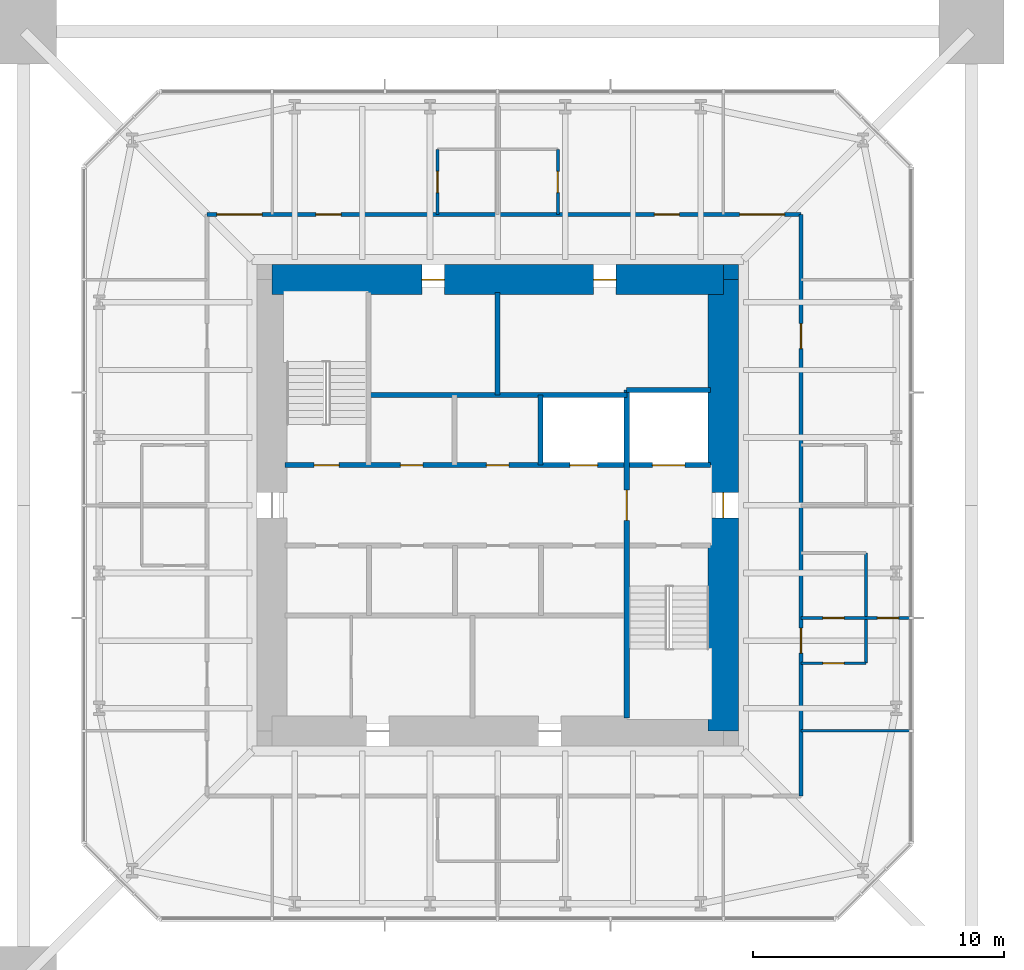
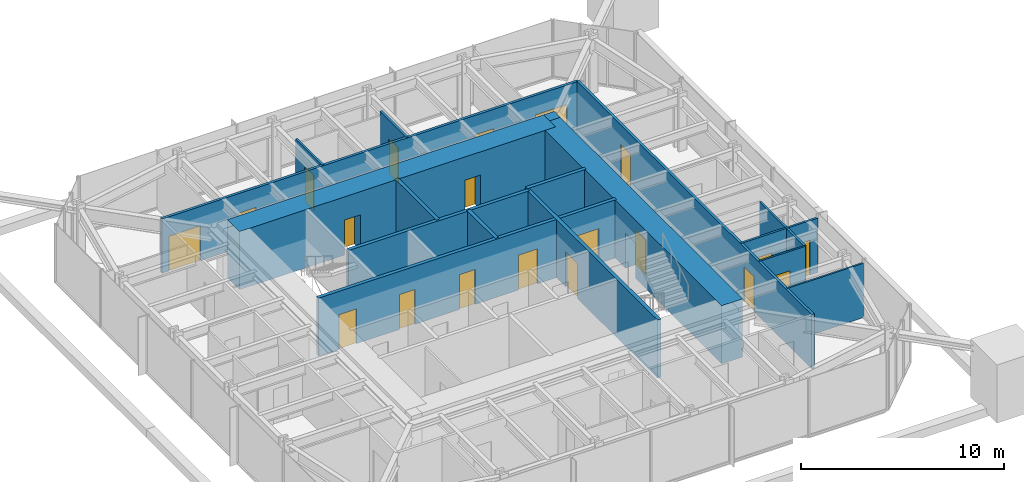
# One storey, part 8 of 10: 20 doors, 17 walls, 20 openings.
"""IFC4 building model written with IfcOpenShell, lengths in metres."""

from ifc_helpers import new_model, si_unit, direction, frame, frame_2d, origin, place, context, subcontext, project, spatial, rectangle, extrude, material, layer, layer_set, type_object, element, fill, save


model = new_model("IFC4")

# Units and contexts
model_context = context("Model", 3, precision=1e-05, world=origin(), true_north=direction((0.0, 1.0)))
body_context = subcontext(model_context, "Body", "Model", "MODEL_VIEW")
ifc_project = project(units=[si_unit("LENGTHUNIT", "METRE"), si_unit("AREAUNIT", "SQUARE_METRE"), si_unit("VOLUMEUNIT", "CUBIC_METRE"), si_unit("PLANEANGLEUNIT", "RADIAN"), si_unit("MASSUNIT", "GRAM", prefix="KILO")], contexts=[model_context])

# Site, building, storey
site_placement = place(None, origin())
site = spatial("IfcSite", under=ifc_project, at=site_placement, CompositionType="ELEMENT")
building_placement = place(site_placement, origin())
building = spatial("IfcBuilding", under=site, at=building_placement, Name="Iwan Alto Co-Living Towers", CompositionType="ELEMENT")
storey_placement = place(building_placement, frame((0.0, 0.0, 253.5)))
storey = spatial("IfcBuildingStorey", under=building, at=storey_placement, Name="L69", CompositionType="ELEMENT", Elevation=253.5)

# Wall, openings, doors
ifc_material_1 = material(Name="Gypsum board")
ifc_layer_1 = layer(ifc_material_1, 0.02490234375, Name="Board", Category="Finish")
ifc_material_2 = material(Name="Steel ASTM A1003 ST33H cold-formed studs", Category="steel")
ifc_layer_2 = layer(ifc_material_2, 0.10009765625, Name="Studs", Category="Framing")
ifc_layer_3 = layer(ifc_material_1, 0.02490234375, Name="Board", Category="Finish")
ifc_layer_set_1 = layer_set([ifc_layer_1, ifc_layer_2, ifc_layer_3], Name="CORRIDOR WALL 150")
wall_type_1 = type_object("IfcWallType", Name="CORRIDOR WALL 150", PredefinedType="PARTITIONING", material=ifc_layer_set_1)
wall_1_placement = place(storey_placement, frame((-11.60009765625, 11.60009765625, 0.0), z_axis=(0.0, 0.0, 1.0), x_axis=(1.0, 0.0, 0.0)))
wall_1 = element("IfcWall", 1, at=wall_1_placement, inside=storey, type_object=wall_type_1, Name="Partition L69", PredefinedType="PARTITIONING", context=body_context, shape_type="SweptSolid", body=[
    extrude(rectangle(XDim=23.7001953125, YDim=0.14990234375, at=frame_2d((11.85009765625, 0.0))), origin(), (0.0, 0.0, 1.0), 3.27001953125),
])
opening_1_placement = place(wall_1_placement, frame((17.85009765625, 0.0, 0.0)))
opening_1 = element("IfcOpeningElement", 2, at=opening_1_placement, cuts=wall_1, Name="Opening D3", PredefinedType="OPENING", context=body_context, shape_type="SweptSolid", body=[
    extrude(rectangle(XDim=1.0, YDim=2.10009765625, at=frame_2d((0.5, 1.050048828125))), frame((0.0, 0.0849609375, 0.0), z_axis=(0.0, -1.0, 0.0), x_axis=(1.0, 0.0, 0.0)), (0.0, 0.0, 1.0), 0.169921875),
])
opening_2_placement = place(wall_1_placement, frame((4.35009765625, 0.0, 0.0)))
opening_2 = element("IfcOpeningElement", 3, at=opening_2_placement, cuts=wall_1, Name="Opening D3", PredefinedType="OPENING", context=body_context, shape_type="SweptSolid", body=[
    extrude(rectangle(XDim=1.0, YDim=2.10009765625, at=frame_2d((0.5, 1.050048828125))), frame((0.0, 0.0849609375, 0.0), z_axis=(0.0, -1.0, 0.0), x_axis=(1.0, 0.0, 0.0)), (0.0, 0.0, 1.0), 0.169921875),
])
opening_3_placement = place(wall_1_placement, frame((0.39990234375, 0.0, 0.0)))
opening_3 = element("IfcOpeningElement", 4, at=opening_3_placement, cuts=wall_1, Name="Opening D9", PredefinedType="OPENING", context=body_context, shape_type="SweptSolid", body=[
    extrude(rectangle(XDim=1.800048828125, YDim=2.10009765625, at=frame_2d((0.89990234375, 1.050048828125))), frame((0.0, 0.0849609375, 0.0), z_axis=(0.0, -1.0, 0.0), x_axis=(1.0, 0.0, 0.0)), (0.0, 0.0, 1.0), 0.169921875),
])
opening_4_placement = place(wall_1_placement, frame((21.25, 0.0, 0.0)))
opening_4 = element("IfcOpeningElement", 5, at=opening_4_placement, cuts=wall_1, Name="Opening D9", PredefinedType="OPENING", context=body_context, shape_type="SweptSolid", body=[
    extrude(rectangle(XDim=1.800048828125, YDim=2.10009765625, at=frame_2d((0.89990234375, 1.050048828125))), frame((0.0, 0.0849609375, 0.0), z_axis=(0.0, -1.0, 0.0), x_axis=(1.0, 0.0, 0.0)), (0.0, 0.0, 1.0), 0.169921875),
])
ifc_material_3 = material(Name="Steel frame with timber leaf", Category="steel")
door_type_1 = type_object("IfcDoorType", Name="FLAT ENTRANCE DOOR FD30S 1000X2100", OperationType="SINGLE_SWING_LEFT", PredefinedType="DOOR", material=ifc_material_3)
door_1_placement = place(opening_1_placement, origin())
door_1 = element("IfcDoor", 6, at=door_1_placement, inside=storey, type_object=door_type_1, Name="Studio door L69", OperationType="SINGLE_SWING_RIGHT", OverallHeight=2.10009765625, OverallWidth=1.0, PredefinedType="DOOR", context=body_context, shape_type="SweptSolid", body=[
    extrude(rectangle(XDim=1.0, YDim=2.10009765625, at=frame_2d((0.5, 1.050048828125))), frame((0.0, 0.02490234375, 0.0), z_axis=(0.0, -1.0, 0.0), x_axis=(1.0, 0.0, 0.0)), (0.0, 0.0, 1.0), 0.050048828125),
])
fill(opening_1, door_1)
door_2_placement = place(opening_2_placement, origin())
door_2 = element("IfcDoor", 7, at=door_2_placement, inside=storey, type_object=door_type_1, Name="Studio door L69", OperationType="SINGLE_SWING_LEFT", OverallHeight=2.10009765625, OverallWidth=1.0, PredefinedType="DOOR", context=body_context, shape_type="SweptSolid", body=[
    extrude(rectangle(XDim=1.0, YDim=2.10009765625, at=frame_2d((0.5, 1.050048828125))), frame((0.0, 0.02490234375, 0.0), z_axis=(0.0, -1.0, 0.0), x_axis=(1.0, 0.0, 0.0)), (0.0, 0.0, 1.0), 0.050048828125),
])
fill(opening_2, door_2)
ifc_material_4 = material(Name="Steel frame with timber leaf", Category="steel")
door_type_2 = type_object("IfcDoorType", Name="LOUNGE DOOR FD30S 1800X2100", OperationType="DOUBLE_DOOR_SINGLE_SWING", PredefinedType="DOOR", material=ifc_material_4)
door_3_placement = place(opening_3_placement, origin())
door_3 = element("IfcDoor", 8, at=door_3_placement, inside=storey, type_object=door_type_2, Name="Courtyard lounge door L69", OperationType="DOUBLE_DOOR_SINGLE_SWING", OverallHeight=2.10009765625, OverallWidth=1.800048828125, PredefinedType="DOOR", context=body_context, shape_type="SweptSolid", body=[
    extrude(rectangle(XDim=1.800048828125, YDim=2.10009765625, at=frame_2d((0.89990234375, 1.050048828125))), frame((0.0, 0.02490234375, 0.0), z_axis=(0.0, -1.0, 0.0), x_axis=(1.0, 0.0, 0.0)), (0.0, 0.0, 1.0), 0.050048828125),
])
fill(opening_3, door_3)
door_4_placement = place(opening_4_placement, origin())
door_4 = element("IfcDoor", 9, at=door_4_placement, inside=storey, type_object=door_type_2, Name="Study lounge door L69", OperationType="DOUBLE_DOOR_SINGLE_SWING", OverallHeight=2.10009765625, OverallWidth=1.800048828125, PredefinedType="DOOR", context=body_context, shape_type="SweptSolid", body=[
    extrude(rectangle(XDim=1.800048828125, YDim=2.10009765625, at=frame_2d((0.89990234375, 1.050048828125))), frame((0.0, 0.02490234375, 0.0), z_axis=(0.0, -1.0, 0.0), x_axis=(1.0, 0.0, 0.0)), (0.0, 0.0, 1.0), 0.050048828125),
])
fill(opening_4, door_4)

wall_2_placement = place(storey_placement, frame((12.10009765625, -11.60009765625, 0.0), z_axis=(0.0, 0.0, 1.0), x_axis=(0.0, 1.0, 0.0)))
wall_2 = element("IfcWall", 10, at=wall_2_placement, inside=storey, type_object=wall_type_1, Name="Partition L69", PredefinedType="PARTITIONING", context=body_context, shape_type="SweptSolid", body=[
    extrude(rectangle(XDim=23.2001953125, YDim=0.14990234375, at=frame_2d((11.60009765625, 0.0))), origin(), (0.0, 0.0, 1.0), 3.27001953125),
])
opening_5_placement = place(wall_2_placement, frame((5.699951171875, 0.0, 0.0)))
opening_5 = element("IfcOpeningElement", 11, at=opening_5_placement, cuts=wall_2, Name="Opening D3", PredefinedType="OPENING", context=body_context, shape_type="SweptSolid", body=[
    extrude(rectangle(XDim=1.0, YDim=2.10009765625, at=frame_2d((0.5, 1.050048828125))), frame((0.0, 0.0849609375, 0.0), z_axis=(0.0, -1.0, 0.0), x_axis=(1.0, 0.0, 0.0)), (0.0, 0.0, 1.0), 0.169921875),
])
opening_6_placement = place(wall_2_placement, frame((17.85009765625, 0.0, 0.0)))
opening_6 = element("IfcOpeningElement", 12, at=opening_6_placement, cuts=wall_2, Name="Opening D3", PredefinedType="OPENING", context=body_context, shape_type="SweptSolid", body=[
    extrude(rectangle(XDim=1.0, YDim=2.10009765625, at=frame_2d((0.5, 1.050048828125))), frame((0.0, 0.0849609375, 0.0), z_axis=(0.0, -1.0, 0.0), x_axis=(1.0, 0.0, 0.0)), (0.0, 0.0, 1.0), 0.169921875),
])
door_5_placement = place(opening_5_placement, frame((1.0, 0.0, 0.0), z_axis=(0.0, 0.0, 1.0), x_axis=(-1.0, 0.0, 0.0)))
door_5 = element("IfcDoor", 13, at=door_5_placement, inside=storey, type_object=door_type_1, Name="Apartment foyer door L69", OperationType="SINGLE_SWING_RIGHT", OverallHeight=2.10009765625, OverallWidth=1.0, PredefinedType="DOOR", context=body_context, shape_type="SweptSolid", body=[
    extrude(rectangle(XDim=1.0, YDim=2.10009765625, at=frame_2d((0.5, 1.050048828125))), frame((0.0, 0.02490234375, 0.0), z_axis=(0.0, -1.0, 0.0), x_axis=(1.0, 0.0, 0.0)), (0.0, 0.0, 1.0), 0.050048828125),
])
fill(opening_5, door_5)
door_6_placement = place(opening_6_placement, frame((1.0, 0.0, 0.0), z_axis=(0.0, 0.0, 1.0), x_axis=(-1.0, 0.0, 0.0)))
door_6 = element("IfcDoor", 14, at=door_6_placement, inside=storey, type_object=door_type_1, Name="Studio door L69", OperationType="SINGLE_SWING_LEFT", OverallHeight=2.10009765625, OverallWidth=1.0, PredefinedType="DOOR", context=body_context, shape_type="SweptSolid", body=[
    extrude(rectangle(XDim=1.0, YDim=2.10009765625, at=frame_2d((0.5, 1.050048828125))), frame((0.0, 0.02490234375, 0.0), z_axis=(0.0, -1.0, 0.0), x_axis=(1.0, 0.0, 0.0)), (0.0, 0.0, 1.0), 0.050048828125),
])
fill(opening_6, door_6)

# Wall
ifc_layer_4 = layer(ifc_material_1, 0.012451171875, Name="Board", Category="Finish")
ifc_layer_5 = layer(ifc_material_2, 0.074951171875, Name="Studs", Category="Framing")
ifc_layer_6 = layer(ifc_material_1, 0.012451171875, Name="Board", Category="Finish")
ifc_layer_set_2 = layer_set([ifc_layer_4, ifc_layer_5, ifc_layer_6], Name="PARTITION 100")
wall_type_2 = type_object("IfcWallType", Name="PARTITION 100", PredefinedType="PARTITIONING", material=ifc_layer_set_2)
wall_3_placement = place(storey_placement, frame((12.10009765625, -9.0, 0.0), z_axis=(0.0, 0.0, 1.0), x_axis=(1.0, 0.0, 0.0)))
element("IfcWall", 15, at=wall_3_placement, inside=storey, type_object=wall_type_2, Name="Partition L69", PredefinedType="PARTITIONING", context=body_context, shape_type="SweptSolid", body=[
    extrude(rectangle(XDim=4.33984375, YDim=0.10009765625, at=frame_2d((2.169921875, 0.0))), origin(), (0.0, 0.0, 1.0), 3.27001953125),
])

# Wall, opening, door
wall_4_placement = place(storey_placement, frame((12.10009765625, -6.300048828125, 0.0), z_axis=(0.0, 0.0, 1.0), x_axis=(1.0, 0.0, 0.0)))
wall_4 = element("IfcWall", 16, at=wall_4_placement, inside=storey, type_object=wall_type_2, Name="Partition L69", PredefinedType="PARTITIONING", context=body_context, shape_type="SweptSolid", body=[
    extrude(rectangle(XDim=2.599853515625, YDim=0.10009765625, at=frame_2d((1.2998046875, 0.0))), origin(), (0.0, 0.0, 1.0), 3.27001953125),
])
opening_7_placement = place(wall_4_placement, frame((0.875, 0.0, 0.0)))
opening_7 = element("IfcOpeningElement", 17, at=opening_7_placement, cuts=wall_4, Name="Opening D2", PredefinedType="OPENING", context=body_context, shape_type="SweptSolid", body=[
    extrude(rectangle(XDim=0.85009765625, YDim=2.10009765625, at=frame_2d((0.425048828125, 1.050048828125))), frame((0.0, 0.06005859375, 0.0), z_axis=(0.0, -1.0, 0.0), x_axis=(1.0, 0.0, 0.0)), (0.0, 0.0, 1.0), 0.1201171875),
])
ifc_material_5 = material(Name="Timber leaf in steel frame", Category="steel")
door_type_3 = type_object("IfcDoorType", Name="ROOM DOOR 850X2100", OperationType="SINGLE_SWING_LEFT", PredefinedType="DOOR", material=ifc_material_5)
door_7_placement = place(opening_7_placement, frame((0.85009765625, 0.0, 0.0), z_axis=(0.0, 0.0, 1.0), x_axis=(-1.0, 0.0, 0.0)))
door_7 = element("IfcDoor", 18, at=door_7_placement, inside=storey, type_object=door_type_3, Name="Apartment foyer door L69", OperationType="SINGLE_SWING_RIGHT", OverallHeight=2.10009765625, OverallWidth=0.85009765625, PredefinedType="DOOR", context=body_context, shape_type="SweptSolid", body=[
    extrude(rectangle(XDim=0.85009765625, YDim=2.10009765625, at=frame_2d((0.425048828125, 1.050048828125))), frame((0.0, 0.02490234375, 0.0), z_axis=(0.0, -1.0, 0.0), x_axis=(1.0, 0.0, 0.0)), (0.0, 0.0, 1.0), 0.050048828125),
])
fill(opening_7, door_7)

# Wall, openings, doors
ifc_material_6 = material(Name="Concrete f'c 70 MPa", Category="concrete")
ifc_layer_7 = layer(ifc_material_6, 0.199951171875)
ifc_layer_set_3 = layer_set([ifc_layer_7], Name="SHAFT WALL 200")
wall_type_3 = type_object("IfcWallType", Name="SHAFT WALL 200", PredefinedType="SOLIDWALL", material=ifc_layer_set_3)
wall_5_placement = place(storey_placement, frame((-8.489990234375, 1.60009765625, 0.0), z_axis=(0.0, 0.0, 1.0), x_axis=(1.0, 0.0, 0.0)))
wall_5 = element("IfcWall", 19, at=wall_5_placement, inside=storey, type_object=wall_type_3, Name="Shaft wall L69", PredefinedType="SOLIDWALL", context=body_context, shape_type="SweptSolid", body=[
    extrude(rectangle(XDim=16.97998046875, YDim=0.199951171875, at=frame_2d((8.489990234375, 0.0))), origin(), (0.0, 0.0, 1.0), 3.5),
])
opening_8_placement = place(wall_5_placement, frame((1.169921875, 0.0, 0.0)))
opening_8 = element("IfcOpeningElement", 20, at=opening_8_placement, cuts=wall_5, Name="Opening D5", PredefinedType="OPENING", context=body_context, shape_type="SweptSolid", body=[
    extrude(rectangle(XDim=1.0, YDim=2.10009765625, at=frame_2d((0.5, 1.050048828125))), frame((0.0, 0.10986328125, 0.0), z_axis=(0.0, -1.0, 0.0), x_axis=(1.0, 0.0, 0.0)), (0.0, 0.0, 1.0), 0.219970703125),
])
opening_9_placement = place(wall_5_placement, frame((4.60595703125, 0.0, 0.0)))
opening_9 = element("IfcOpeningElement", 21, at=opening_9_placement, cuts=wall_5, Name="Opening D15", PredefinedType="OPENING", context=body_context, shape_type="SweptSolid", body=[
    extrude(rectangle(XDim=0.89990234375, YDim=2.10009765625, at=frame_2d((0.449951171875, 1.050048828125))), frame((0.0, 0.10986328125, 0.0), z_axis=(0.0, -1.0, 0.0), x_axis=(1.0, 0.0, 0.0)), (0.0, 0.0, 1.0), 0.219970703125),
])
opening_10_placement = place(wall_5_placement, frame((8.0400390625, 0.0, 0.0)))
opening_10 = element("IfcOpeningElement", 22, at=opening_10_placement, cuts=wall_5, Name="Opening D15", PredefinedType="OPENING", context=body_context, shape_type="SweptSolid", body=[
    extrude(rectangle(XDim=0.89990234375, YDim=2.10009765625, at=frame_2d((0.449951171875, 1.050048828125))), frame((0.0, 0.10986328125, 0.0), z_axis=(0.0, -1.0, 0.0), x_axis=(1.0, 0.0, 0.0)), (0.0, 0.0, 1.0), 0.219970703125),
])
opening_11_placement = place(wall_5_placement, frame((11.3740234375, 0.0, 0.0)))
opening_11 = element("IfcOpeningElement", 23, at=opening_11_placement, cuts=wall_5, Name="Opening LD", PredefinedType="OPENING", context=body_context, shape_type="SweptSolid", body=[
    extrude(rectangle(XDim=1.10009765625, YDim=2.10009765625, at=frame_2d((0.550048828125, 1.050048828125))), frame((0.0, 0.10986328125, 0.0), z_axis=(0.0, -1.0, 0.0), x_axis=(1.0, 0.0, 0.0)), (0.0, 0.0, 1.0), 0.219970703125),
])
opening_12_placement = place(wall_5_placement, frame((14.659912109375, 0.0, 0.0)))
opening_12 = element("IfcOpeningElement", 24, at=opening_12_placement, cuts=wall_5, Name="Opening LD2", PredefinedType="OPENING", context=body_context, shape_type="SweptSolid", body=[
    extrude(rectangle(XDim=1.300048828125, YDim=2.10009765625, at=frame_2d((0.64990234375, 1.050048828125))), frame((0.0, 0.10986328125, 0.0), z_axis=(0.0, -1.0, 0.0), x_axis=(1.0, 0.0, 0.0)), (0.0, 0.0, 1.0), 0.219970703125),
])
ifc_material_7 = material(Name="Steel frame with timber leaf", Category="steel")
door_type_4 = type_object("IfcDoorType", Name="CORE ROOM DOOR FD60S 900X2100", OperationType="SINGLE_SWING_LEFT", PredefinedType="DOOR", material=ifc_material_7)
door_8_placement = place(opening_9_placement, origin())
door_8 = element("IfcDoor", 25, at=door_8_placement, inside=storey, type_object=door_type_4, Name="Guest pantry door L69", OperationType="SINGLE_SWING_LEFT", OverallHeight=2.10009765625, OverallWidth=0.89990234375, PredefinedType="DOOR", context=body_context, shape_type="SweptSolid", body=[
    extrude(rectangle(XDim=0.89990234375, YDim=2.10009765625, at=frame_2d((0.449951171875, 1.050048828125))), frame((0.0, 0.02490234375, 0.0), z_axis=(0.0, -1.0, 0.0), x_axis=(1.0, 0.0, 0.0)), (0.0, 0.0, 1.0), 0.050048828125),
])
fill(opening_9, door_8)
door_9_placement = place(opening_10_placement, origin())
door_9 = element("IfcDoor", 26, at=door_9_placement, inside=storey, type_object=door_type_4, Name="Linen store door L69", OperationType="SINGLE_SWING_LEFT", OverallHeight=2.10009765625, OverallWidth=0.89990234375, PredefinedType="DOOR", context=body_context, shape_type="SweptSolid", body=[
    extrude(rectangle(XDim=0.89990234375, YDim=2.10009765625, at=frame_2d((0.449951171875, 1.050048828125))), frame((0.0, 0.02490234375, 0.0), z_axis=(0.0, -1.0, 0.0), x_axis=(1.0, 0.0, 0.0)), (0.0, 0.0, 1.0), 0.050048828125),
])
fill(opening_10, door_9)
ifc_material_8 = material(Name="Steel frame with timber leaf", Category="steel")
door_type_5 = type_object("IfcDoorType", Name="LIFT LANDING DOOR 1100X2100", OperationType="DOUBLE_DOOR_SLIDING", PredefinedType="DOOR", material=ifc_material_8)
door_10_placement = place(opening_11_placement, origin())
door_10 = element("IfcDoor", 27, at=door_10_placement, inside=storey, type_object=door_type_5, Name="Lift P4-3 landing door L69", OperationType="DOUBLE_DOOR_SLIDING", OverallHeight=2.10009765625, OverallWidth=1.10009765625, PredefinedType="DOOR", context=body_context, shape_type="SweptSolid", body=[
    extrude(rectangle(XDim=1.10009765625, YDim=2.10009765625, at=frame_2d((0.550048828125, 1.050048828125))), frame((0.0, 0.02490234375, 0.0), z_axis=(0.0, -1.0, 0.0), x_axis=(1.0, 0.0, 0.0)), (0.0, 0.0, 1.0), 0.050048828125),
])
fill(opening_11, door_10)
ifc_material_9 = material(Name="Steel frame with timber leaf", Category="steel")
door_type_6 = type_object("IfcDoorType", Name="LIFT LANDING DOOR 1300X2100", OperationType="SLIDING_TO_LEFT", PredefinedType="DOOR", material=ifc_material_9)
door_11_placement = place(opening_12_placement, origin())
door_11 = element("IfcDoor", 28, at=door_11_placement, inside=storey, type_object=door_type_6, Name="Lift FL1 landing door L69", OperationType="SLIDING_TO_LEFT", OverallHeight=2.10009765625, OverallWidth=1.300048828125, PredefinedType="DOOR", context=body_context, shape_type="SweptSolid", body=[
    extrude(rectangle(XDim=1.300048828125, YDim=2.10009765625, at=frame_2d((0.64990234375, 1.050048828125))), frame((0.0, 0.02490234375, 0.0), z_axis=(0.0, -1.0, 0.0), x_axis=(1.0, 0.0, 0.0)), (0.0, 0.0, 1.0), 0.050048828125),
])
fill(opening_12, door_11)
ifc_material_10 = material(Name="Steel frame with timber leaf", Category="steel")
door_type_7 = type_object("IfcDoorType", Name="STAIR DOOR FD120S 1000X2100", OperationType="SINGLE_SWING_LEFT", PredefinedType="DOOR", material=ifc_material_10)
door_12_placement = place(opening_8_placement, origin())
door_12 = element("IfcDoor", 29, at=door_12_placement, inside=storey, type_object=door_type_7, Name="Stair S1 door L69", OperationType="SINGLE_SWING_RIGHT", OverallHeight=2.10009765625, OverallWidth=1.0, PredefinedType="DOOR", context=body_context, shape_type="SweptSolid", body=[
    extrude(rectangle(XDim=1.0, YDim=2.10009765625, at=frame_2d((0.5, 1.050048828125))), frame((0.0, 0.02490234375, 0.0), z_axis=(0.0, -1.0, 0.0), x_axis=(1.0, 0.0, 0.0)), (0.0, 0.0, 1.0), 0.050048828125),
])
fill(opening_8, door_12)

# Walls
wall_6_placement = place(storey_placement, frame((-5.14990234375, 4.39990234375, 0.0), z_axis=(0.0, 0.0, 1.0), x_axis=(1.0, 0.0, 0.0)))
element("IfcWall", 30, at=wall_6_placement, inside=storey, type_object=wall_type_3, Name="Shaft wall L69", PredefinedType="SOLIDWALL", context=body_context, shape_type="SweptSolid", body=[
    extrude(rectangle(XDim=10.2998046875, YDim=0.199951171875, at=frame_2d((5.14990234375, 0.0))), origin(), (0.0, 0.0, 1.0), 3.5),
])
wall_7_placement = place(storey_placement, frame((5.14990234375, 4.60009765625, 0.0), z_axis=(0.0, 0.0, 1.0), x_axis=(1.0, 0.0, 0.0)))
element("IfcWall", 31, at=wall_7_placement, inside=storey, type_object=wall_type_3, Name="Shaft wall L69", PredefinedType="SOLIDWALL", context=body_context, shape_type="SweptSolid", body=[
    extrude(rectangle(XDim=3.340087890625, YDim=0.199951171875, at=frame_2d((1.669921875, 0.0))), origin(), (0.0, 0.0, 1.0), 3.5),
])

# Wall, opening, door
wall_8_placement = place(storey_placement, frame((5.14990234375, -8.489990234375, 0.0), z_axis=(0.0, 0.0, 1.0), x_axis=(0.0, 1.0, 0.0)))
wall_8 = element("IfcWall", 32, at=wall_8_placement, inside=storey, type_object=wall_type_3, Name="Shaft wall L69", PredefinedType="SOLIDWALL", context=body_context, shape_type="SweptSolid", body=[
    extrude(rectangle(XDim=13.090087890625, YDim=0.199951171875, at=frame_2d((6.544921875, 0.0))), origin(), (0.0, 0.0, 1.0), 3.5),
])
opening_13_placement = place(wall_8_placement, frame((7.889892578125, 0.0, 0.0)))
opening_13 = element("IfcOpeningElement", 33, at=opening_13_placement, cuts=wall_8, Name="Opening D6", PredefinedType="OPENING", context=body_context, shape_type="SweptSolid", body=[
    extrude(rectangle(XDim=1.199951171875, YDim=2.10009765625, at=frame_2d((0.60009765625, 1.050048828125))), frame((0.0, 0.10986328125, 0.0), z_axis=(0.0, -1.0, 0.0), x_axis=(1.0, 0.0, 0.0)), (0.0, 0.0, 1.0), 0.219970703125),
])
ifc_material_11 = material(Name="Steel frame with timber leaf", Category="steel")
door_type_8 = type_object("IfcDoorType", Name="LOBBY DOOR FD120S 1200X2100", OperationType="SINGLE_SWING_LEFT", PredefinedType="DOOR", material=ifc_material_11)
door_13_placement = place(opening_13_placement, frame((1.199951171875, 0.0, 0.0), z_axis=(0.0, 0.0, 1.0), x_axis=(-1.0, 0.0, 0.0)))
door_13 = element("IfcDoor", 34, at=door_13_placement, inside=storey, type_object=door_type_8, Name="Firefighting lobby door L69", OperationType="SINGLE_SWING_RIGHT", OverallHeight=2.10009765625, OverallWidth=1.199951171875, PredefinedType="DOOR", context=body_context, shape_type="SweptSolid", body=[
    extrude(rectangle(XDim=1.199951171875, YDim=2.10009765625, at=frame_2d((0.60009765625, 1.050048828125))), frame((0.0, 0.02490234375, 0.0), z_axis=(0.0, -1.0, 0.0), x_axis=(1.0, 0.0, 0.0)), (0.0, 0.0, 1.0), 0.050048828125),
])
fill(opening_13, door_13)

# Walls
wall_9_placement = place(storey_placement, frame((1.717041015625, 1.60009765625, 0.0), z_axis=(0.0, 0.0, 1.0), x_axis=(0.0, 1.0, 0.0)))
element("IfcWall", 35, at=wall_9_placement, inside=storey, type_object=wall_type_3, Name="Shaft wall L69", PredefinedType="SOLIDWALL", context=body_context, shape_type="SweptSolid", body=[
    extrude(rectangle(XDim=2.7998046875, YDim=0.199951171875, at=frame_2d((1.39990234375, 0.0))), origin(), (0.0, 0.0, 1.0), 3.5),
])
wall_10_placement = place(storey_placement, frame((0.0, 4.39990234375, 0.0), z_axis=(0.0, 0.0, 1.0), x_axis=(0.0, 1.0, 0.0)))
element("IfcWall", 36, at=wall_10_placement, inside=storey, type_object=wall_type_3, Name="Shaft wall L69", PredefinedType="SOLIDWALL", context=body_context, shape_type="SweptSolid", body=[
    extrude(rectangle(XDim=4.090087890625, YDim=0.199951171875, at=frame_2d((2.044921875, 0.0))), origin(), (0.0, 0.0, 1.0), 3.5),
])
ifc_material_12 = material(Name="Concrete f'c 70 MPa", Category="concrete")
ifc_layer_8 = layer(ifc_material_12, 0.60009765625)
ifc_layer_set_4 = layer_set([ifc_layer_8], Name="T1 CORE CORNER FILL 600")
wall_type_4 = type_object("IfcWallType", Name="T1 CORE CORNER FILL 600", PredefinedType="SOLIDWALL", material=ifc_layer_set_4)
wall_11_placement = place(storey_placement, frame((9.0, 9.300048828125, 0.0), z_axis=(0.0, 0.0, 1.0), x_axis=(1.0, 0.0, 0.0)))
element("IfcWall", 37, at=wall_11_placement, inside=storey, type_object=wall_type_4, Name="T1 core corner NE L69", PredefinedType="SOLIDWALL", context=body_context, shape_type="SweptSolid", body=[
    extrude(rectangle(XDim=0.60009765625, YDim=0.60009765625, at=frame_2d((0.300048828125, 0.0))), origin(), (0.0, 0.0, 1.0), 3.5),
])

# Wall, openings, doors
ifc_material_13 = material(Name="Concrete f'c 70 MPa", Category="concrete")
ifc_layer_9 = layer(ifc_material_13, 1.199951171875)
ifc_layer_set_5 = layer_set([ifc_layer_9], Name="T1 CORE WALL 1200")
wall_type_5 = type_object("IfcWallType", Name="T1 CORE WALL 1200", PredefinedType="SHEAR", material=ifc_layer_set_5)
wall_12_placement = place(storey_placement, frame((9.0, 9.0, 0.0), z_axis=(0.0, 0.0, 1.0), x_axis=(-1.0, 0.0, 0.0)))
wall_12 = element("IfcWall", 38, at=wall_12_placement, inside=storey, type_object=wall_type_5, Name="T1 core wall N L69", PredefinedType="SHEAR", context=body_context, shape_type="SweptSolid", body=[
    extrude(rectangle(XDim=18.0, YDim=1.199951171875, at=frame_2d((9.0, 0.0))), origin(), (0.0, 0.0, 1.0), 3.5),
])
opening_14_placement = place(wall_12_placement, frame((11.125, 0.0, 0.0)))
opening_14 = element("IfcOpeningElement", 39, at=opening_14_placement, cuts=wall_12, Name="Opening D8", PredefinedType="OPENING", context=body_context, shape_type="SweptSolid", body=[
    extrude(rectangle(XDim=0.89990234375, YDim=2.10009765625, at=frame_2d((0.449951171875, 1.050048828125))), frame((0.0, 0.60986328125, 0.0), z_axis=(0.0, -1.0, 0.0), x_axis=(1.0, 0.0, 0.0)), (0.0, 0.0, 1.0), 1.219970703125),
])
opening_15_placement = place(wall_12_placement, frame((4.27490234375, 0.0, 0.0)))
opening_15 = element("IfcOpeningElement", 40, at=opening_15_placement, cuts=wall_12, Name="Opening D8", PredefinedType="OPENING", context=body_context, shape_type="SweptSolid", body=[
    extrude(rectangle(XDim=0.89990234375, YDim=2.10009765625, at=frame_2d((0.449951171875, 1.050048828125))), frame((0.0, 0.60986328125, 0.0), z_axis=(0.0, -1.0, 0.0), x_axis=(1.0, 0.0, 0.0)), (0.0, 0.0, 1.0), 1.219970703125),
])
ifc_material_14 = material(Name="Steel frame with timber leaf", Category="steel")
door_type_9 = type_object("IfcDoorType", Name="RISER DOOR FD120 900X2100", OperationType="SINGLE_SWING_LEFT", PredefinedType="DOOR", material=ifc_material_14)
door_14_placement = place(opening_14_placement, origin())
door_14 = element("IfcDoor", 41, at=door_14_placement, inside=storey, type_object=door_type_9, Name="Electrical riser core door L69", OperationType="SINGLE_SWING_RIGHT", OverallHeight=2.10009765625, OverallWidth=0.89990234375, PredefinedType="DOOR", context=body_context, shape_type="SweptSolid", body=[
    extrude(rectangle(XDim=0.89990234375, YDim=2.10009765625, at=frame_2d((0.449951171875, 1.050048828125))), frame((0.0, 0.02490234375, 0.0), z_axis=(0.0, -1.0, 0.0), x_axis=(1.0, 0.0, 0.0)), (0.0, 0.0, 1.0), 0.050048828125),
])
fill(opening_14, door_14)
door_15_placement = place(opening_15_placement, origin())
door_15 = element("IfcDoor", 42, at=door_15_placement, inside=storey, type_object=door_type_9, Name="Water and drainage riser core door L69", OperationType="SINGLE_SWING_RIGHT", OverallHeight=2.10009765625, OverallWidth=0.89990234375, PredefinedType="DOOR", context=body_context, shape_type="SweptSolid", body=[
    extrude(rectangle(XDim=0.89990234375, YDim=2.10009765625, at=frame_2d((0.449951171875, 1.050048828125))), frame((0.0, 0.02490234375, 0.0), z_axis=(0.0, -1.0, 0.0), x_axis=(1.0, 0.0, 0.0)), (0.0, 0.0, 1.0), 0.050048828125),
])
fill(opening_15, door_15)

# Wall, opening, door
wall_13_placement = place(storey_placement, frame((9.0, -9.0, 0.0), z_axis=(0.0, 0.0, 1.0), x_axis=(0.0, 1.0, 0.0)))
wall_13 = element("IfcWall", 43, at=wall_13_placement, inside=storey, type_object=wall_type_5, Name="T1 core wall E L69", PredefinedType="SHEAR", context=body_context, shape_type="SweptSolid", body=[
    extrude(rectangle(XDim=18.0, YDim=1.199951171875, at=frame_2d((9.0, 0.0))), origin(), (0.0, 0.0, 1.0), 3.5),
])
opening_16_placement = place(wall_13_placement, frame((8.5, 0.0, 0.0)))
opening_16 = element("IfcOpeningElement", 44, at=opening_16_placement, cuts=wall_13, Name="Opening D7", PredefinedType="OPENING", context=body_context, shape_type="SweptSolid", body=[
    extrude(rectangle(XDim=1.0, YDim=2.10009765625, at=frame_2d((0.5, 1.050048828125))), frame((0.0, 0.60986328125, 0.0), z_axis=(0.0, -1.0, 0.0), x_axis=(1.0, 0.0, 0.0)), (0.0, 0.0, 1.0), 1.219970703125),
])
ifc_material_15 = material(Name="Steel frame with timber leaf", Category="steel")
door_type_10 = type_object("IfcDoorType", Name="CORE DOOR FD120S 1000X2100", OperationType="SINGLE_SWING_LEFT", PredefinedType="DOOR", material=ifc_material_15)
door_16_placement = place(opening_16_placement, origin())
door_16 = element("IfcDoor", 45, at=door_16_placement, inside=storey, type_object=door_type_10, Name="Firefighting lobby core door L69", OperationType="SINGLE_SWING_LEFT", OverallHeight=2.10009765625, OverallWidth=1.0, PredefinedType="DOOR", context=body_context, shape_type="SweptSolid", body=[
    extrude(rectangle(XDim=1.0, YDim=2.10009765625, at=frame_2d((0.5, 1.050048828125))), frame((0.0, 0.02490234375, 0.0), z_axis=(0.0, -1.0, 0.0), x_axis=(1.0, 0.0, 0.0)), (0.0, 0.0, 1.0), 0.050048828125),
])
fill(opening_16, door_16)

# Wall, openings, doors
ifc_material_16 = material(Name="Cement board")
ifc_layer_10 = layer(ifc_material_16, 0.012451171875, Name="Board", Category="Finish")
ifc_layer_11 = layer(ifc_material_2, 0.094970703125, Name="Studs", Category="Framing")
ifc_layer_12 = layer(ifc_material_16, 0.012451171875, Name="Board", Category="Finish")
ifc_layer_set_6 = layer_set([ifc_layer_10, ifc_layer_11, ifc_layer_12], Name="WET AREA PARTITION 120")
wall_type_6 = type_object("IfcWallType", Name="WET AREA PARTITION 120", PredefinedType="PARTITIONING", material=ifc_layer_set_6)
wall_14_placement = place(storey_placement, frame((12.10009765625, -4.5, 0.0), z_axis=(0.0, 0.0, 1.0), x_axis=(1.0, 0.0, 0.0)))
wall_14 = element("IfcWall", 46, at=wall_14_placement, inside=storey, type_object=wall_type_6, Name="Partition L69", PredefinedType="PARTITIONING", context=body_context, shape_type="SweptSolid", body=[
    extrude(rectangle(XDim=4.33984375, YDim=0.1201171875, at=frame_2d((2.169921875, 0.0))), origin(), (0.0, 0.0, 1.0), 3.27001953125),
])
opening_17_placement = place(wall_14_placement, frame((3.044921875, 0.0, 0.0)))
opening_17 = element("IfcOpeningElement", 47, at=opening_17_placement, cuts=wall_14, Name="Opening D2", PredefinedType="OPENING", context=body_context, shape_type="SweptSolid", body=[
    extrude(rectangle(XDim=0.85009765625, YDim=2.10009765625, at=frame_2d((0.425048828125, 1.050048828125))), frame((0.0, 0.070068359375, 0.0), z_axis=(0.0, -1.0, 0.0), x_axis=(1.0, 0.0, 0.0)), (0.0, 0.0, 1.0), 0.14013671875),
])
opening_18_placement = place(wall_14_placement, frame((0.875, 0.0, 0.0)))
opening_18 = element("IfcOpeningElement", 48, at=opening_18_placement, cuts=wall_14, Name="Opening D2", PredefinedType="OPENING", context=body_context, shape_type="SweptSolid", body=[
    extrude(rectangle(XDim=0.85009765625, YDim=2.10009765625, at=frame_2d((0.425048828125, 1.050048828125))), frame((0.0, 0.070068359375, 0.0), z_axis=(0.0, -1.0, 0.0), x_axis=(1.0, 0.0, 0.0)), (0.0, 0.0, 1.0), 0.14013671875),
])
door_17_placement = place(opening_17_placement, frame((0.85009765625, 0.0, 0.0), z_axis=(0.0, 0.0, 1.0), x_axis=(-1.0, 0.0, 0.0)))
door_17 = element("IfcDoor", 49, at=door_17_placement, inside=storey, type_object=door_type_3, Name="Bedroom door L69", OperationType="SINGLE_SWING_RIGHT", OverallHeight=2.10009765625, OverallWidth=0.85009765625, PredefinedType="DOOR", context=body_context, shape_type="SweptSolid", body=[
    extrude(rectangle(XDim=0.85009765625, YDim=2.10009765625, at=frame_2d((0.425048828125, 1.050048828125))), frame((0.0, 0.02490234375, 0.0), z_axis=(0.0, -1.0, 0.0), x_axis=(1.0, 0.0, 0.0)), (0.0, 0.0, 1.0), 0.050048828125),
])
fill(opening_17, door_17)
door_18_placement = place(opening_18_placement, origin())
door_18 = element("IfcDoor", 50, at=door_18_placement, inside=storey, type_object=door_type_3, Name="Accessible bathroom door L69", OperationType="SINGLE_SWING_LEFT", OverallHeight=2.10009765625, OverallWidth=0.85009765625, PredefinedType="DOOR", context=body_context, shape_type="SweptSolid", body=[
    extrude(rectangle(XDim=0.85009765625, YDim=2.10009765625, at=frame_2d((0.425048828125, 1.050048828125))), frame((0.0, 0.02490234375, 0.0), z_axis=(0.0, -1.0, 0.0), x_axis=(1.0, 0.0, 0.0)), (0.0, 0.0, 1.0), 0.050048828125),
])
fill(opening_18, door_18)

# Wall
wall_15_placement = place(storey_placement, frame((14.699951171875, -6.300048828125, 0.0), z_axis=(0.0, 0.0, 1.0), x_axis=(0.0, 1.0, 0.0)))
element("IfcWall", 51, at=wall_15_placement, inside=storey, type_object=wall_type_6, Name="Partition L69", PredefinedType="PARTITIONING", context=body_context, shape_type="SweptSolid", body=[
    extrude(rectangle(XDim=4.400146484375, YDim=0.1201171875, at=frame_2d((2.2001953125, 0.0))), origin(), (0.0, 0.0, 1.0), 3.27001953125),
])

# Wall, opening, door
wall_16_placement = place(storey_placement, frame((2.39990234375, 11.60009765625, 0.0), z_axis=(0.0, 0.0, 1.0), x_axis=(0.0, 1.0, 0.0)))
wall_16 = element("IfcWall", 52, at=wall_16_placement, inside=storey, type_object=wall_type_6, Name="Partition L69", PredefinedType="PARTITIONING", context=body_context, shape_type="SweptSolid", body=[
    extrude(rectangle(XDim=2.599853515625, YDim=0.1201171875, at=frame_2d((1.2998046875, 0.0))), origin(), (0.0, 0.0, 1.0), 3.27001953125),
])
opening_19_placement = place(wall_16_placement, frame((0.875, 0.0, 0.0)))
opening_19 = element("IfcOpeningElement", 53, at=opening_19_placement, cuts=wall_16, Name="Opening D2", PredefinedType="OPENING", context=body_context, shape_type="SweptSolid", body=[
    extrude(rectangle(XDim=0.85009765625, YDim=2.10009765625, at=frame_2d((0.425048828125, 1.050048828125))), frame((0.0, 0.070068359375, 0.0), z_axis=(0.0, -1.0, 0.0), x_axis=(1.0, 0.0, 0.0)), (0.0, 0.0, 1.0), 0.14013671875),
])
door_19_placement = place(opening_19_placement, frame((0.85009765625, 0.0, 0.0), z_axis=(0.0, 0.0, 1.0), x_axis=(-1.0, 0.0, 0.0)))
door_19 = element("IfcDoor", 54, at=door_19_placement, inside=storey, type_object=door_type_3, Name="En-suite shower room door L69", OperationType="SINGLE_SWING_RIGHT", OverallHeight=2.10009765625, OverallWidth=0.85009765625, PredefinedType="DOOR", context=body_context, shape_type="SweptSolid", body=[
    extrude(rectangle(XDim=0.85009765625, YDim=2.10009765625, at=frame_2d((0.425048828125, 1.050048828125))), frame((0.0, 0.02490234375, 0.0), z_axis=(0.0, -1.0, 0.0), x_axis=(1.0, 0.0, 0.0)), (0.0, 0.0, 1.0), 0.050048828125),
])
fill(opening_19, door_19)

wall_17_placement = place(storey_placement, frame((-2.39990234375, 11.60009765625, 0.0), z_axis=(0.0, 0.0, 1.0), x_axis=(0.0, 1.0, 0.0)))
wall_17 = element("IfcWall", 55, at=wall_17_placement, inside=storey, type_object=wall_type_6, Name="Partition L69", PredefinedType="PARTITIONING", context=body_context, shape_type="SweptSolid", body=[
    extrude(rectangle(XDim=2.599853515625, YDim=0.1201171875, at=frame_2d((1.2998046875, 0.0))), origin(), (0.0, 0.0, 1.0), 3.27001953125),
])
opening_20_placement = place(wall_17_placement, frame((0.875, 0.0, 0.0)))
opening_20 = element("IfcOpeningElement", 56, at=opening_20_placement, cuts=wall_17, Name="Opening D2", PredefinedType="OPENING", context=body_context, shape_type="SweptSolid", body=[
    extrude(rectangle(XDim=0.85009765625, YDim=2.10009765625, at=frame_2d((0.425048828125, 1.050048828125))), frame((0.0, 0.070068359375, 0.0), z_axis=(0.0, -1.0, 0.0), x_axis=(1.0, 0.0, 0.0)), (0.0, 0.0, 1.0), 0.14013671875),
])
door_20_placement = place(opening_20_placement, origin())
door_20 = element("IfcDoor", 57, at=door_20_placement, inside=storey, type_object=door_type_3, Name="En-suite shower room door L69", OperationType="SINGLE_SWING_LEFT", OverallHeight=2.10009765625, OverallWidth=0.85009765625, PredefinedType="DOOR", context=body_context, shape_type="SweptSolid", body=[
    extrude(rectangle(XDim=0.85009765625, YDim=2.10009765625, at=frame_2d((0.425048828125, 1.050048828125))), frame((0.0, 0.02490234375, 0.0), z_axis=(0.0, -1.0, 0.0), x_axis=(1.0, 0.0, 0.0)), (0.0, 0.0, 1.0), 0.050048828125),
])
fill(opening_20, door_20)

save(model, "model.ifc")
